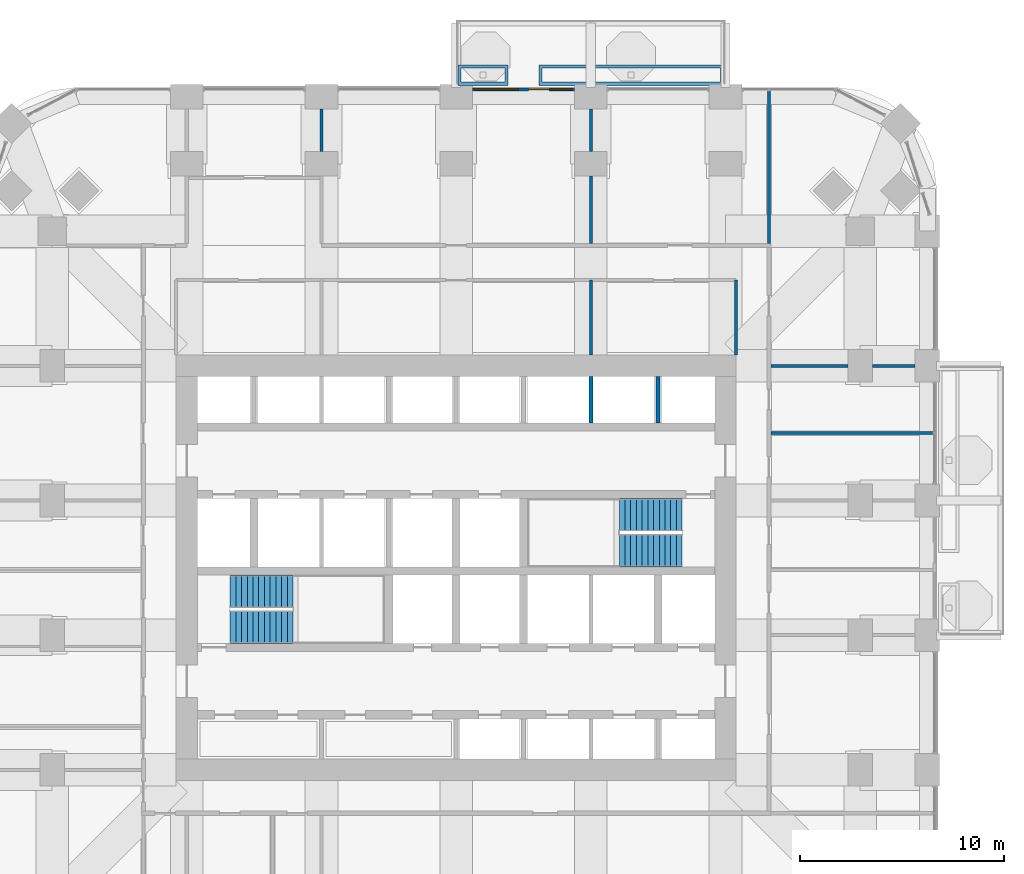
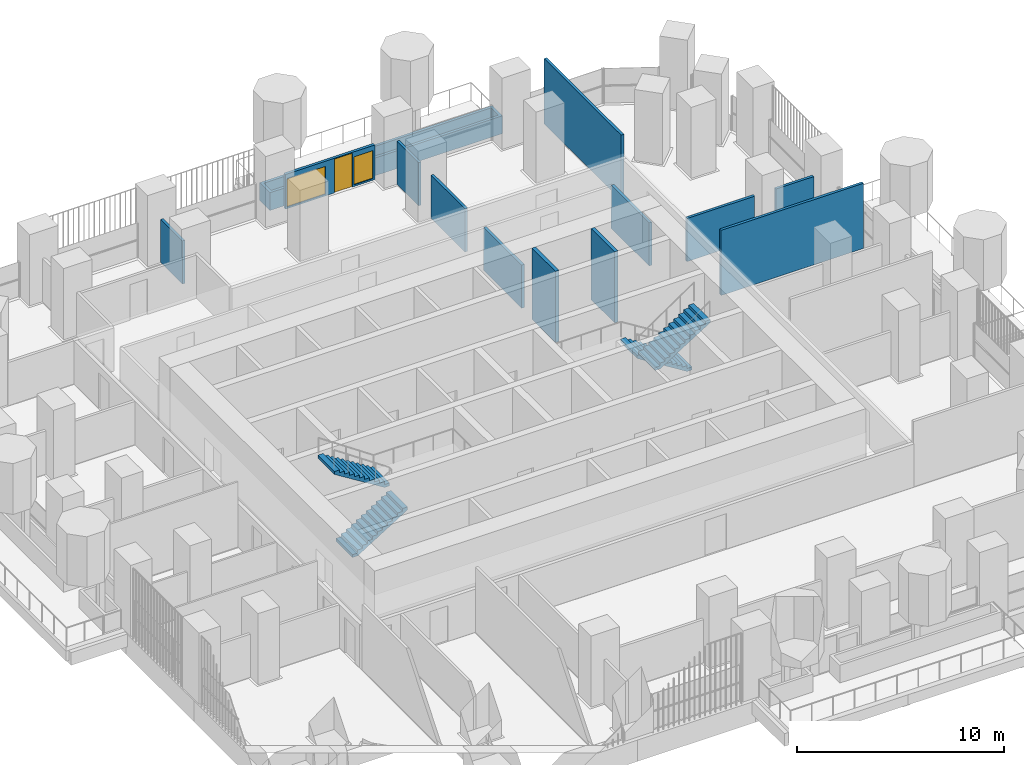
# One storey, part 17 of 22: 14 walls, 4 stair flights, 2 windows, 1 door, 3 openings, 2 elements without a shape of their own.
"""IFC4 building model written with IfcOpenShell, lengths in metres."""

from ifc_helpers import new_model, si_unit, direction, frame, frame_2d, origin, place, context, subcontext, project, spatial, polyline, rectangle, outline, extrude, material, layer, layer_set, type_object, element, fill, aggregate, save


model = new_model("IFC4")

# Units and contexts
model_context = context("Model", 3, precision=1e-05, world=origin(), true_north=direction((0.0, 1.0)))
body_context = subcontext(model_context, "Body", "Model", "MODEL_VIEW")
ifc_project = project(units=[si_unit("LENGTHUNIT", "METRE"), si_unit("AREAUNIT", "SQUARE_METRE"), si_unit("VOLUMEUNIT", "CUBIC_METRE"), si_unit("PLANEANGLEUNIT", "RADIAN"), si_unit("MASSUNIT", "GRAM", prefix="KILO")], contexts=[model_context])

# Site, building, storey
site_placement = place(None, origin())
site = spatial("IfcSite", under=ifc_project, at=site_placement, CompositionType="ELEMENT")
building_placement = place(site_placement, origin())
building = spatial("IfcBuilding", under=site, at=building_placement, Name="Cobogo Forest Laboratory Tower", CompositionType="ELEMENT")
storey_placement = place(building_placement, frame((0.0, 0.0, 145.199951171875)))
storey = spatial("IfcBuildingStorey", under=building, at=storey_placement, Name="L33", CompositionType="ELEMENT", Elevation=145.199951171875)

# Wall, openings, door, windows
ifc_material_1 = material(Name="Aluminium framed glazed screen", Category="aluminium")
ifc_layer_1 = layer(ifc_material_1, 0.14990234375)
ifc_layer_set_1 = layer_set([ifc_layer_1], Name="GS1 glazed door screen 150")
wall_type_1 = type_object("IfcWallType", Name="GS1 glazed door screen 150", PredefinedType="SOLIDWALL", material=ifc_layer_set_1)
wall_1_placement = place(storey_placement, frame((32.199951171875, 46.550048828125, 0.0), z_axis=(0.0, 0.0, 1.0), x_axis=(-1.0, 0.0, 0.0)))
wall_1 = element("IfcWall", 1, at=wall_1_placement, inside=storey, type_object=wall_type_1, Name="Door screen BAL-N1 L33", PredefinedType="SOLIDWALL", context=body_context, shape_type="SweptSolid", body=[
    extrude(rectangle(XDim=5.0, YDim=0.14990234375, at=frame_2d((2.5, 0.0))), origin(), (0.0, 0.0, 1.0), 2.050048828125),
])
opening_1_placement = place(wall_1_placement, frame((1.25, 0.0, 0.0)))
opening_1 = element("IfcOpeningElement", 2, at=opening_1_placement, cuts=wall_1, Name="Opening L33-D41", PredefinedType="OPENING", context=body_context, shape_type="SweptSolid", body=[
    extrude(rectangle(XDim=1.0, YDim=2.0, at=frame_2d((0.5, 1.0))), frame((0.0, 0.0849609375, 0.0), z_axis=(0.0, -1.0, 0.0), x_axis=(1.0, 0.0, 0.0)), (0.0, 0.0, 1.0), 0.169921875),
])
opening_2_placement = place(wall_1_placement, frame((0.10009765625, 0.0, 0.10009765625)))
opening_2 = element("IfcOpeningElement", 3, at=opening_2_placement, cuts=wall_1, Name="Opening L33-W08", PredefinedType="OPENING", context=body_context, shape_type="SweptSolid", body=[
    extrude(rectangle(XDim=1.050048828125, YDim=1.64990234375, at=frame_2d((0.52490234375, 0.824951171875))), frame((0.0, 0.0849609375, 0.0), z_axis=(0.0, -1.0, 0.0), x_axis=(1.0, 0.0, 0.0)), (0.0, 0.0, 1.0), 0.169921875),
])
opening_3_placement = place(wall_1_placement, frame((2.75, 0.0, 0.10009765625)))
opening_3 = element("IfcOpeningElement", 4, at=opening_3_placement, cuts=wall_1, Name="Opening L33-W07", PredefinedType="OPENING", context=body_context, shape_type="SweptSolid", body=[
    extrude(rectangle(XDim=2.14990234375, YDim=1.64990234375, at=frame_2d((1.074951171875, 0.824951171875))), frame((0.0, 0.0849609375, 0.0), z_axis=(0.0, -1.0, 0.0), x_axis=(1.0, 0.0, 0.0)), (0.0, 0.0, 1.0), 0.169921875),
])
ifc_material_2 = material(Name="Aluminium glazed door", Category="aluminium")
door_type = type_object("IfcDoorType", Name="DB2 balcony door 1000 glazed 2000 high", OperationType="SINGLE_SWING_LEFT", PredefinedType="DOOR", material=ifc_material_2)
door_placement = place(opening_1_placement, origin())
door = element("IfcDoor", 5, at=door_placement, inside=storey, type_object=door_type, Name="Door L33-BAL-N1", OperationType="SINGLE_SWING_LEFT", OverallHeight=2.0, OverallWidth=1.0, PredefinedType="DOOR", context=body_context, shape_type="SweptSolid", body=[
    extrude(rectangle(XDim=1.0, YDim=2.0, at=frame_2d((0.5, 1.0))), frame((0.0, 0.02490234375, 0.0), z_axis=(0.0, -1.0, 0.0), x_axis=(1.0, 0.0, 0.0)), (0.0, 0.0, 1.0), 0.050048828125),
])
fill(opening_1, door)
ifc_material_3 = material(Name="Aluminium framed glazing", Category="aluminium")
window_type_1 = type_object("IfcWindowType", Name="WG19 fixed glazed light 2150x1650", PartitioningType="SINGLE_PANEL", PredefinedType="WINDOW", material=ifc_material_3)
window_1_placement = place(opening_3_placement, origin())
window_1 = element("IfcWindow", 6, at=window_1_placement, inside=storey, type_object=window_type_1, Name="Window L33-BAL-N1-2", OverallHeight=1.64990234375, OverallWidth=2.14990234375, PartitioningType="SINGLE_PANEL", PredefinedType="WINDOW", context=body_context, shape_type="SweptSolid", body=[
    extrude(rectangle(XDim=2.14990234375, YDim=1.64990234375, at=frame_2d((1.074951171875, 0.824951171875))), frame((0.0, 0.030029296875, 0.0), z_axis=(0.0, -1.0, 0.0), x_axis=(1.0, 0.0, 0.0)), (0.0, 0.0, 1.0), 0.06005859375),
])
fill(opening_3, window_1)
window_type_2 = type_object("IfcWindowType", Name="WG20 fixed glazed light 1050x1650", PartitioningType="SINGLE_PANEL", PredefinedType="WINDOW", material=ifc_material_3)
window_2_placement = place(opening_2_placement, origin())
window_2 = element("IfcWindow", 7, at=window_2_placement, inside=storey, type_object=window_type_2, Name="Window L33-BAL-N1-1", OverallHeight=1.64990234375, OverallWidth=1.050048828125, PartitioningType="SINGLE_PANEL", PredefinedType="WINDOW", context=body_context, shape_type="SweptSolid", body=[
    extrude(rectangle(XDim=1.050048828125, YDim=1.64990234375, at=frame_2d((0.52490234375, 0.824951171875))), frame((0.0, 0.030029296875, 0.0), z_axis=(0.0, -1.0, 0.0), x_axis=(1.0, 0.0, 0.0)), (0.0, 0.0, 1.0), 0.06005859375),
])
fill(opening_2, window_2)

# Walls
ifc_material_4 = material(Name="Gypsum board on steel studs", Category="steel")
ifc_layer_2 = layer(ifc_material_4, 0.14990234375)
ifc_layer_set_2 = layer_set([ifc_layer_2], Name="PT1 laboratory partition 150")
wall_type_2 = type_object("IfcWallType", Name="PT1 laboratory partition 150", PredefinedType="PARTITIONING", material=ifc_layer_set_2)
for number, where, z_axis, x_axis, name in (
    (8, (40.125, 33.52490234375, 0.0), (0.0, 0.0, 1.0), (0.0, 1.0, 0.0), "Partition CSTRIP-NE L33"),
    (9, (33.0, 33.52490234375, 0.0), (0.0, 0.0, 1.0), (0.0, 1.0, 0.0), "Partition CSTRIP-N33 L33"),
):
    element("IfcWall", number, at=place(storey_placement, frame(where, z_axis=z_axis, x_axis=x_axis)), inside=storey, type_object=wall_type_2, Name=name, PredefinedType="PARTITIONING", context=body_context, shape_type="SweptSolid", body=[
        extrude(rectangle(XDim=3.675048828125, YDim=0.14990234375, at=frame_2d((1.83740234375, 0.0))), origin(), (0.0, 0.0, 1.0), 2.550048828125),
    ])
wall_2_placement = place(storey_placement, frame((41.72509765625, 46.469970703125, 0.0), z_axis=(0.0, 0.0, 1.0), x_axis=(0.0, -1.0, 0.0)))
element("IfcWall", 10, at=wall_2_placement, inside=storey, type_object=wall_type_2, Name="Partition PW-NE L33", PredefinedType="PARTITIONING", context=body_context, shape_type="SweptSolid", body=[
    extrude(rectangle(XDim=7.469970703125, YDim=0.14990234375, at=frame_2d((3.73486328125, 0.0))), origin(), (0.0, 0.0, 1.0), 3.85009765625),
])
wall_3_placement = place(storey_placement, frame((49.77001953125, 29.699951171875, 0.0), z_axis=(0.0, 0.0, 1.0), x_axis=(-1.0, 0.0, 0.0)))
element("IfcWall", 11, at=wall_3_placement, inside=storey, type_object=wall_type_2, Name="Partition CUT-E29.7-1 L33", PredefinedType="PARTITIONING", context=body_context, shape_type="SweptSolid", body=[
    extrude(rectangle(XDim=7.945068359375, YDim=0.14990234375, at=frame_2d((3.97265625, 0.0))), origin(), (0.0, 0.0, 1.0), 3.85009765625),
])
wall_4_placement = place(storey_placement, frame((48.89990234375, 33.0, 0.0), z_axis=(0.0, 0.0, 1.0), x_axis=(-1.0, 0.0, 0.0)))
element("IfcWall", 12, at=wall_4_placement, inside=storey, type_object=wall_type_2, Name="Partition CUT-E33-1 L33", PredefinedType="PARTITIONING", context=body_context, shape_type="SweptSolid", body=[
    extrude(rectangle(XDim=2.099853515625, YDim=0.14990234375, at=frame_2d((1.0498046875, 0.0))), origin(), (0.0, 0.0, 1.0), 2.550048828125),
])
wall_5_placement = place(storey_placement, frame((45.60009765625, 33.0, 0.0), z_axis=(0.0, 0.0, 1.0), x_axis=(-1.0, 0.0, 0.0)))
element("IfcWall", 13, at=wall_5_placement, inside=storey, type_object=wall_type_2, Name="Partition CUT-E33-2 L33", PredefinedType="PARTITIONING", context=body_context, shape_type="SweptSolid", body=[
    extrude(rectangle(XDim=3.775146484375, YDim=0.14990234375, at=frame_2d((1.8876953125, 0.0))), origin(), (0.0, 0.0, 1.0), 2.550048828125),
])
for number, where, z_axis, x_axis, name in (
    (14, (19.800048828125, 45.60009765625, 0.0), (0.0, 0.0, 1.0), (0.0, -1.0, 0.0), "Partition CUT-N19.8-1 L33"),
    (15, (33.0, 45.60009765625, 0.0), (0.0, 0.0, 1.0), (0.0, -1.0, 0.0), "Partition CUT-N33-1 L33"),
):
    element("IfcWall", number, at=place(storey_placement, frame(where, z_axis=z_axis, x_axis=x_axis)), inside=storey, type_object=wall_type_2, Name=name, PredefinedType="PARTITIONING", context=body_context, shape_type="SweptSolid", body=[
        extrude(rectangle(XDim=2.10009765625, YDim=0.14990234375, at=frame_2d((1.050048828125, 0.0))), origin(), (0.0, 0.0, 1.0), 2.550048828125),
    ])
wall_6_placement = place(storey_placement, frame((33.0, 42.300048828125, 0.0), z_axis=(0.0, 0.0, 1.0), x_axis=(0.0, -1.0, 0.0)))
element("IfcWall", 16, at=wall_6_placement, inside=storey, type_object=wall_type_2, Name="Partition CUT-N33-2 L33", PredefinedType="PARTITIONING", context=body_context, shape_type="SweptSolid", body=[
    extrude(rectangle(XDim=3.300048828125, YDim=0.14990234375, at=frame_2d((1.64990234375, 0.0))), origin(), (0.0, 0.0, 1.0), 2.550048828125),
])
ifc_material_5 = material(Name="Concrete HA-40 (C40/50)", Category="concrete")
ifc_layer_3 = layer(ifc_material_5, 0.14990234375)
ifc_layer_set_3 = layer_set([ifc_layer_3], Name="Planter box 1000x1050")
wall_type_3 = type_object("IfcWallType", Name="Planter box 1000x1050", PredefinedType="USERDEFINED", material=ifc_layer_set_3)
wall_7_placement = place(storey_placement, origin())
element("IfcWall", 17, at=wall_7_placement, inside=storey, type_object=wall_type_3, Name="Planter BAL-N1-1 L33", ObjectType="PLANTER", PredefinedType="USERDEFINED", context=body_context, shape_type="SweptSolid", body=[
    extrude(outline(polyline([(26.5, 46.75), (28.949951171875, 46.75), (28.949951171875, 47.75), (26.5, 47.75), (26.5, 46.75)]), holes=[polyline([(26.64990234375, 46.89990234375), (28.800048828125, 46.89990234375), (28.800048828125, 47.60009765625), (26.64990234375, 47.60009765625), (26.64990234375, 46.89990234375)])]), origin(), (0.0, 0.0, 1.0), 1.050048828125),
])
wall_8_placement = place(storey_placement, origin())
element("IfcWall", 18, at=wall_8_placement, inside=storey, type_object=wall_type_3, Name="Planter BAL-N1-2 L33", ObjectType="PLANTER", PredefinedType="USERDEFINED", context=body_context, shape_type="SweptSolid", body=[
    extrude(outline(polyline([(30.449951171875, 46.75), (39.5, 46.75), (39.5, 47.75), (30.449951171875, 47.75), (30.449951171875, 46.75)]), holes=[polyline([(30.60009765625, 46.89990234375), (39.35009765625, 46.89990234375), (39.35009765625, 47.60009765625), (30.60009765625, 47.60009765625), (30.60009765625, 46.89990234375)])]), origin(), (0.0, 0.0, 1.0), 1.050048828125),
])
ifc_material_6 = material(Name="Concrete block", Category="concrete")
ifc_layer_4 = layer(ifc_material_6, 0.199951171875)
ifc_layer_set_4 = layer_set([ifc_layer_4], Name="SW200 lift shaft separator 200")
wall_type_4 = type_object("IfcWallType", Name="SW200 lift shaft separator 200", PredefinedType="PARTITIONING", material=ifc_layer_set_4)
for number, where, z_axis, x_axis, name in (
    (19, (33.0, 30.199951171875, 0.0), (0.0, 0.0, 1.0), (0.0, 1.0, 0.0), "Core wall SEP-N6 L33"),
    (20, (36.300048828125, 30.199951171875, 0.0), (0.0, 0.0, 1.0), (0.0, 1.0, 0.0), "Core wall SEP-N7 L33"),
):
    element("IfcWall", number, at=place(storey_placement, frame(where, z_axis=z_axis, x_axis=x_axis)), inside=storey, type_object=wall_type_4, Name=name, PredefinedType="PARTITIONING", context=body_context, shape_type="SweptSolid", body=[
        extrude(rectangle(XDim=2.275146484375, YDim=0.199951171875, at=frame_2d((1.1376953125, 0.0))), origin(), (0.0, 0.0, 1.0), 4.199951171875),
    ])

# Stair, stair flights
ifc_material_7 = material(Name="Precast concrete HA-40 (C40/50)", Category="concrete")
stair_type = type_object("IfcStairType", Name="ST24 exit stair 24 risers", PredefinedType="HALF_TURN_STAIR", material=ifc_material_7)
stair_1_placement = place(storey_placement, origin())
stair_1 = element("IfcStair", 21, at=stair_1_placement, inside=storey, type_object=stair_type, Name="Stair 1 L33 to L34", PredefinedType="HALF_TURN_STAIR")
stair_flight_type = type_object("IfcStairFlightType", Name="ST stair flight 280 going", PredefinedType="STRAIGHT", material=ifc_material_7)
stair_flight_1_placement = place(storey_placement, frame((15.324951171875, 20.199951171875, 0.0), z_axis=(0.0, 0.0, 1.0), x_axis=(1.0, 0.0, 0.0)))
stair_flight_1 = element("IfcStairFlight", 22, at=stair_flight_1_placement, type_object=stair_flight_type, Name="ST1 flight 1", NumberOfRisers=12, NumberOfTreads=11, PredefinedType="STRAIGHT", RiserHeight=0.175, TreadLength=0.28, context=body_context, shape_type="SweptSolid", body=[
    extrude(outline(polyline([(0.0, 0.0), (0.0, 0.175048828125), (0.280029296875, 0.175048828125), (0.280029296875, 0.35009765625), (0.56005859375, 0.35009765625), (0.56005859375, 0.52490234375), (0.840087890625, 0.52490234375), (0.840087890625, 0.699951171875), (1.1201171875, 0.699951171875), (1.1201171875, 0.875), (1.39990234375, 0.875), (1.39990234375, 1.050048828125), (1.679931640625, 1.050048828125), (1.679931640625, 1.22509765625), (1.9599609375, 1.22509765625), (1.9599609375, 1.39990234375), (2.239990234375, 1.39990234375), (2.239990234375, 1.574951171875), (2.52001953125, 1.574951171875), (2.52001953125, 1.75), (2.800048828125, 1.75), (2.800048828125, 1.925048828125), (3.080078125, 1.925048828125), (3.080078125, 2.10009765625), (3.080078125, 1.748291015625), (0.28271484375, 0.0), (0.0, 0.0)])), frame((0.0, 0.800048828125, 0.0), z_axis=(0.0, -1.0, 0.0), x_axis=(1.0, 0.0, 0.0)), (0.0, 0.0, 1.0), 1.60009765625),
])
stair_flight_2_placement = place(storey_placement, frame((18.405029296875, 21.949951171875, 2.10009765625), z_axis=(0.0, 0.0, 1.0), x_axis=(-1.0, 0.0, 0.0)))
stair_flight_2 = element("IfcStairFlight", 23, at=stair_flight_2_placement, type_object=stair_flight_type, Name="ST1 flight 2", NumberOfRisers=12, NumberOfTreads=11, PredefinedType="STRAIGHT", RiserHeight=0.175, TreadLength=0.28, context=body_context, shape_type="SweptSolid", body=[
    extrude(outline(polyline([(0.0, 0.0), (0.0, 0.175048828125), (0.280029296875, 0.175048828125), (0.280029296875, 0.35009765625), (0.56005859375, 0.35009765625), (0.56005859375, 0.52490234375), (0.840087890625, 0.52490234375), (0.840087890625, 0.699951171875), (1.1201171875, 0.699951171875), (1.1201171875, 0.875), (1.39990234375, 0.875), (1.39990234375, 1.050048828125), (1.679931640625, 1.050048828125), (1.679931640625, 1.22509765625), (1.9599609375, 1.22509765625), (1.9599609375, 1.39990234375), (2.239990234375, 1.39990234375), (2.239990234375, 1.574951171875), (2.52001953125, 1.574951171875), (2.52001953125, 1.75), (2.800048828125, 1.75), (2.800048828125, 1.925048828125), (3.080078125, 1.925048828125), (3.080078125, 2.10009765625), (3.080078125, 1.748291015625), (0.28271484375, 0.0), (0.0, 0.0)])), frame((0.0, 0.800048828125, 0.0), z_axis=(0.0, -1.0, 0.0), x_axis=(1.0, 0.0, 0.0)), (0.0, 0.0, 1.0), 1.60009765625),
])
aggregate(stair_1, [stair_flight_1, stair_flight_2])

stair_2_placement = place(storey_placement, origin())
stair_2 = element("IfcStair", 24, at=stair_2_placement, inside=storey, type_object=stair_type, Name="Stair 2 L33 to L34", PredefinedType="HALF_TURN_STAIR")
stair_flight_3_placement = place(storey_placement, frame((37.47509765625, 25.699951171875, 0.0), z_axis=(0.0, 0.0, 1.0), x_axis=(-1.0, 0.0, 0.0)))
stair_flight_3 = element("IfcStairFlight", 25, at=stair_flight_3_placement, type_object=stair_flight_type, Name="ST2 flight 1", NumberOfRisers=12, NumberOfTreads=11, PredefinedType="STRAIGHT", RiserHeight=0.175, TreadLength=0.28, context=body_context, shape_type="SweptSolid", body=[
    extrude(outline(polyline([(0.0, 0.0), (0.0, 0.175048828125), (0.280029296875, 0.175048828125), (0.280029296875, 0.35009765625), (0.56005859375, 0.35009765625), (0.56005859375, 0.52490234375), (0.840087890625, 0.52490234375), (0.840087890625, 0.699951171875), (1.1201171875, 0.699951171875), (1.1201171875, 0.875), (1.39990234375, 0.875), (1.39990234375, 1.050048828125), (1.679931640625, 1.050048828125), (1.679931640625, 1.22509765625), (1.9599609375, 1.22509765625), (1.9599609375, 1.39990234375), (2.239990234375, 1.39990234375), (2.239990234375, 1.574951171875), (2.52001953125, 1.574951171875), (2.52001953125, 1.75), (2.800048828125, 1.75), (2.800048828125, 1.925048828125), (3.080078125, 1.925048828125), (3.080078125, 2.10009765625), (3.080078125, 1.748291015625), (0.28271484375, 0.0), (0.0, 0.0)])), frame((0.0, 0.800048828125, 0.0), z_axis=(0.0, -1.0, 0.0), x_axis=(1.0, 0.0, 0.0)), (0.0, 0.0, 1.0), 1.60009765625),
])
stair_flight_4_placement = place(storey_placement, frame((34.39501953125, 23.949951171875, 2.10009765625), z_axis=(0.0, 0.0, 1.0), x_axis=(1.0, 0.0, 0.0)))
stair_flight_4 = element("IfcStairFlight", 26, at=stair_flight_4_placement, type_object=stair_flight_type, Name="ST2 flight 2", NumberOfRisers=12, NumberOfTreads=11, PredefinedType="STRAIGHT", RiserHeight=0.175, TreadLength=0.28, context=body_context, shape_type="SweptSolid", body=[
    extrude(outline(polyline([(0.0, 0.0), (0.0, 0.175048828125), (0.280029296875, 0.175048828125), (0.280029296875, 0.35009765625), (0.56005859375, 0.35009765625), (0.56005859375, 0.52490234375), (0.840087890625, 0.52490234375), (0.840087890625, 0.699951171875), (1.1201171875, 0.699951171875), (1.1201171875, 0.875), (1.39990234375, 0.875), (1.39990234375, 1.050048828125), (1.679931640625, 1.050048828125), (1.679931640625, 1.22509765625), (1.9599609375, 1.22509765625), (1.9599609375, 1.39990234375), (2.239990234375, 1.39990234375), (2.239990234375, 1.574951171875), (2.52001953125, 1.574951171875), (2.52001953125, 1.75), (2.800048828125, 1.75), (2.800048828125, 1.925048828125), (3.080078125, 1.925048828125), (3.080078125, 2.10009765625), (3.080078125, 1.748291015625), (0.28271484375, 0.0), (0.0, 0.0)])), frame((0.0, 0.800048828125, 0.0), z_axis=(0.0, -1.0, 0.0), x_axis=(1.0, 0.0, 0.0)), (0.0, 0.0, 1.0), 1.60009765625),
])
aggregate(stair_2, [stair_flight_3, stair_flight_4])

save(model, "model.ifc")
